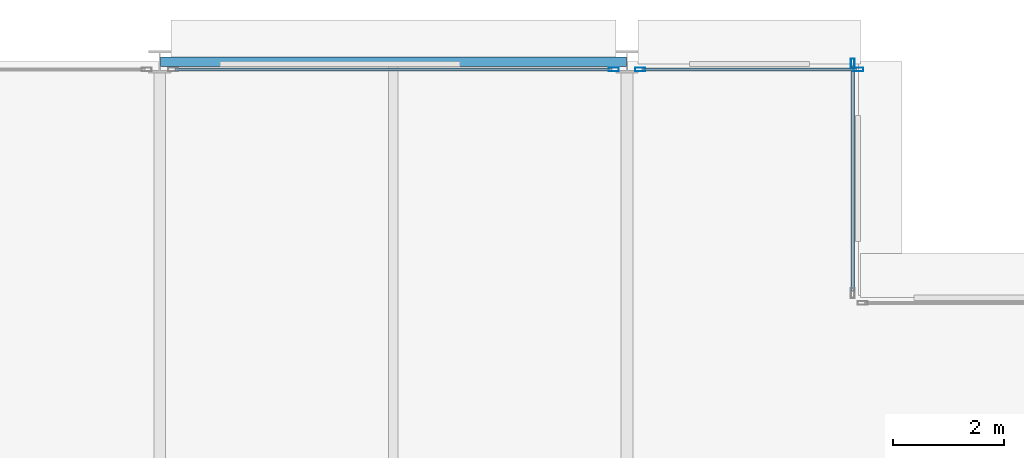
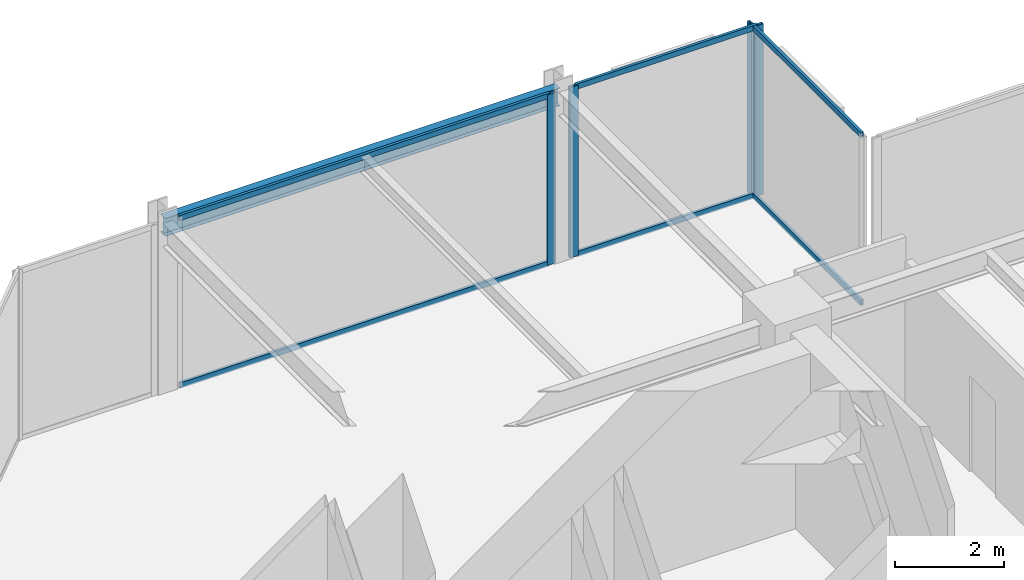
# One storey, part 22 of 30: 10 members, 1 beam, 3 elements without a shape of their own.
"""IFC4 building model written with IfcOpenShell, lengths in metres."""

from ifc_helpers import new_model, si_unit, direction, frame, origin, origin_2d, place, context, subcontext, project, spatial, hollow_rectangle, i_section, extrude, material, layer, layer_set, material_profile, profile_set, type_object, element, aggregate, save


model = new_model("IFC4")

# Units and contexts
model_context = context("Model", 3, precision=1e-05, world=origin(), true_north=direction((0.0, 1.0)))
body_context = subcontext(model_context, "Body", "Model", "MODEL_VIEW")
ifc_project = project(units=[si_unit("LENGTHUNIT", "METRE"), si_unit("AREAUNIT", "SQUARE_METRE"), si_unit("VOLUMEUNIT", "CUBIC_METRE"), si_unit("PLANEANGLEUNIT", "RADIAN"), si_unit("MASSUNIT", "GRAM", prefix="KILO")], contexts=[model_context])

# Site, building, storey
site_placement = place(None, origin())
site = spatial("IfcSite", under=ifc_project, at=site_placement, CompositionType="ELEMENT")
building_placement = place(site_placement, origin())
building = spatial("IfcBuilding", under=site, at=building_placement, Name="Nerrivon Quay Data Exchange", CompositionType="ELEMENT")
storey_placement = place(building_placement, frame((0.0, 0.0, 154.10009765625)))
storey = spatial("IfcBuildingStorey", under=building, at=storey_placement, Name="L36", CompositionType="ELEMENT", Elevation=154.10009765625)

# Beam
ifc_material_1 = material(Name="Steel Grade 350", Category="steel")
ifc_material_profile_1 = material_profile(ifc_material_1, i_section(OverallWidth=0.177978515625, OverallDepth=0.403076171875, WebThickness=0.007568359375, FlangeThickness=0.010986328125, FilletRadius=0.011474609375, at=origin_2d()), Name="410UB53.7")
ifc_profile_set_1 = profile_set([ifc_material_profile_1], Name="Steel Grade 350")
beam_type = type_object("IfcBeamType", Name="BM-SP2-410UB54", PredefinedType="SPANDREL", material=ifc_profile_set_1)
beam_placement = place(storey_placement, frame((8.41259765625, 50.39990234375, 3.623291015625), z_axis=(1.0, 0.0, 0.0), x_axis=(0.0, 1.0, 0.0)))
element("IfcBeam", 1, at=beam_placement, inside=storey, type_object=beam_type, Name="L36 EW Girder Y=50.4 (8.4..16.8)", PredefinedType="SPANDREL", context=body_context, shape_type="SweptSolid", body=[
    extrude(i_section(OverallWidth=0.177978515625, OverallDepth=0.403076171875, WebThickness=0.007568359375, FlangeThickness=0.010986328125, FilletRadius=0.011474609375, at=origin_2d()), origin(), (0.0, 0.0, 1.0), 8.375),
])

# Curtain wall, member
ifc_material_2 = material(Name="Anodised aluminium 6063-T6", Category="aluminium")
ifc_layer = layer(ifc_material_2, 0.2099609375)
ifc_layer_set = layer_set([ifc_layer], Name="Anodised aluminium 6063-T6")
curtain_wall_type = type_object("IfcCurtainWallType", Name="CW-SYS-02", PredefinedType="NOTDEFINED", material=ifc_layer_set)
curtain_wall_1_placement = place(storey_placement, origin())
curtain_wall_1 = element("IfcCurtainWall", 2, at=curtain_wall_1_placement, inside=storey, type_object=curtain_wall_type, Name="L36 Unitised Curtain Wall 19", PredefinedType="NOTDEFINED")
ifc_material_profile_2 = material_profile(ifc_material_2, hollow_rectangle(XDim=0.06494140625, YDim=0.179931640625, WallThickness=0.00341796875, at=origin_2d()), Name="ALU-MULL-180x65")
ifc_profile_set_2 = profile_set([ifc_material_profile_2], Name="Anodised aluminium 6063-T6")
member_type_1 = type_object("IfcMemberType", Name="CWM-180x65", PredefinedType="MULLION", material=ifc_profile_set_2)
member_1_placement = place(storey_placement, frame((16.5625, 50.260009765625, 0.0), z_axis=(0.0, 0.0, 1.0), x_axis=(0.0, 1.0, 0.0)))
member_1 = element("IfcMember", 3, at=member_1_placement, type_object=member_type_1, Name="CW02 mullion 2", PredefinedType="MULLION", context=body_context, shape_type="SweptSolid", body=[
    extrude(hollow_rectangle(XDim=0.06494140625, YDim=0.179931640625, WallThickness=0.00341796875, at=origin_2d()), origin(), (0.0, 0.0, 1.0), 3.824951171875),
])

# Curtain wall, members
curtain_wall_2_placement = place(storey_placement, origin())
curtain_wall_2 = element("IfcCurtainWall", 4, at=curtain_wall_2_placement, inside=storey, type_object=curtain_wall_type, Name="L36 Unitised Curtain Wall 20", PredefinedType="NOTDEFINED")
member_2_placement = place(storey_placement, frame((17.03759765625, 50.260009765625, 0.0), z_axis=(0.0, 0.0, 1.0), x_axis=(0.0, 1.0, 0.0)))
member_2 = element("IfcMember", 5, at=member_2_placement, type_object=member_type_1, Name="CW02 mullion 1", PredefinedType="MULLION", context=body_context, shape_type="SweptSolid", body=[
    extrude(hollow_rectangle(XDim=0.06494140625, YDim=0.179931640625, WallThickness=0.00341796875, at=origin_2d()), origin(), (0.0, 0.0, 1.0), 3.824951171875),
])
member_3_placement = place(storey_placement, frame((20.96240234375, 50.260009765625, 0.0), z_axis=(0.0, 0.0, 1.0), x_axis=(0.0, 1.0, 0.0)))
member_3 = element("IfcMember", 6, at=member_3_placement, type_object=member_type_1, Name="CW02 mullion 2", PredefinedType="MULLION", context=body_context, shape_type="SweptSolid", body=[
    extrude(hollow_rectangle(XDim=0.06494140625, YDim=0.179931640625, WallThickness=0.00341796875, at=origin_2d()), origin(), (0.0, 0.0, 1.0), 3.824951171875),
])

# Curtain wall, member
curtain_wall_3_placement = place(storey_placement, origin())
curtain_wall_3 = element("IfcCurtainWall", 7, at=curtain_wall_3_placement, inside=storey, type_object=curtain_wall_type, Name="L36 Unitised Curtain Wall 21", PredefinedType="NOTDEFINED")
member_4_placement = place(storey_placement, frame((20.860107421875, 50.362548828125, 0.0), z_axis=(0.0, 0.0, 1.0), x_axis=(1.0, 0.0, 0.0)))
member_4 = element("IfcMember", 8, at=member_4_placement, type_object=member_type_1, Name="CW02 mullion 1", PredefinedType="MULLION", context=body_context, shape_type="SweptSolid", body=[
    extrude(hollow_rectangle(XDim=0.06494140625, YDim=0.179931640625, WallThickness=0.00341796875, at=origin_2d()), origin(), (0.0, 0.0, 1.0), 3.824951171875),
])

# Member
ifc_material_profile_3 = material_profile(ifc_material_2, hollow_rectangle(XDim=0.06005859375, YDim=0.1201171875, WallThickness=0.003173828125, at=origin_2d()), Name="ALU-TRAN-120x60")
ifc_profile_set_3 = profile_set([ifc_material_profile_3], Name="Anodised aluminium 6063-T6")
member_type_2 = type_object("IfcMemberType", Name="CWT-120x60", PredefinedType="USERDEFINED", material=ifc_profile_set_3)
member_5_placement = place(storey_placement, frame((8.675048828125, 50.260009765625, 0.032470703125), z_axis=(1.0, 0.0, 0.0), x_axis=(0.0, 1.0, 0.0)))
member_5 = element("IfcMember", 9, at=member_5_placement, type_object=member_type_2, Name="CW02 transom 1.1", ObjectType="TRANSOM", PredefinedType="USERDEFINED", context=body_context, shape_type="SweptSolid", body=[
    extrude(hollow_rectangle(XDim=0.06005859375, YDim=0.1201171875, WallThickness=0.003173828125, at=origin_2d()), origin(), (0.0, 0.0, 1.0), 7.849853515625),
])

member_6_placement = place(storey_placement, frame((8.675048828125, 50.260009765625, 3.79248046875), z_axis=(1.0, 0.0, 0.0), x_axis=(0.0, 1.0, 0.0)))
member_6 = element("IfcMember", 10, at=member_6_placement, type_object=member_type_2, Name="CW02 transom 1.2", ObjectType="TRANSOM", PredefinedType="USERDEFINED", context=body_context, shape_type="SweptSolid", body=[
    extrude(hollow_rectangle(XDim=0.06005859375, YDim=0.1201171875, WallThickness=0.003173828125, at=origin_2d()), origin(), (0.0, 0.0, 1.0), 7.849853515625),
])

aggregate(curtain_wall_1, [member_1, member_5, member_6])

member_7_placement = place(storey_placement, frame((17.074951171875, 50.260009765625, 0.032470703125), z_axis=(1.0, 0.0, 0.0), x_axis=(0.0, 1.0, 0.0)))
member_7 = element("IfcMember", 11, at=member_7_placement, type_object=member_type_2, Name="CW02 transom 1.1", ObjectType="TRANSOM", PredefinedType="USERDEFINED", context=body_context, shape_type="SweptSolid", body=[
    extrude(hollow_rectangle(XDim=0.06005859375, YDim=0.1201171875, WallThickness=0.003173828125, at=origin_2d()), origin(), (0.0, 0.0, 1.0), 3.85009765625),
])

member_8_placement = place(storey_placement, frame((17.074951171875, 50.260009765625, 3.79248046875), z_axis=(1.0, 0.0, 0.0), x_axis=(0.0, 1.0, 0.0)))
member_8 = element("IfcMember", 12, at=member_8_placement, type_object=member_type_2, Name="CW02 transom 1.2", ObjectType="TRANSOM", PredefinedType="USERDEFINED", context=body_context, shape_type="SweptSolid", body=[
    extrude(hollow_rectangle(XDim=0.06005859375, YDim=0.1201171875, WallThickness=0.003173828125, at=origin_2d()), origin(), (0.0, 0.0, 1.0), 3.85009765625),
])

aggregate(curtain_wall_2, [member_2, member_3, member_7, member_8])

member_9_placement = place(storey_placement, frame((20.860107421875, 50.324951171875, 0.032470703125), z_axis=(0.0, -1.0, 0.0), x_axis=(1.0, 0.0, 0.0)))
member_9 = element("IfcMember", 13, at=member_9_placement, type_object=member_type_2, Name="CW02 transom 1.1", ObjectType="TRANSOM", PredefinedType="USERDEFINED", context=body_context, shape_type="SweptSolid", body=[
    extrude(hollow_rectangle(XDim=0.06005859375, YDim=0.1201171875, WallThickness=0.003173828125, at=origin_2d()), origin(), (0.0, 0.0, 1.0), 4.050048828125),
])

member_10_placement = place(storey_placement, frame((20.860107421875, 50.324951171875, 3.79248046875), z_axis=(0.0, -1.0, 0.0), x_axis=(1.0, 0.0, 0.0)))
member_10 = element("IfcMember", 14, at=member_10_placement, type_object=member_type_2, Name="CW02 transom 1.2", ObjectType="TRANSOM", PredefinedType="USERDEFINED", context=body_context, shape_type="SweptSolid", body=[
    extrude(hollow_rectangle(XDim=0.06005859375, YDim=0.1201171875, WallThickness=0.003173828125, at=origin_2d()), origin(), (0.0, 0.0, 1.0), 4.050048828125),
])

aggregate(curtain_wall_3, [member_4, member_9, member_10])

save(model, "model.ifc")
